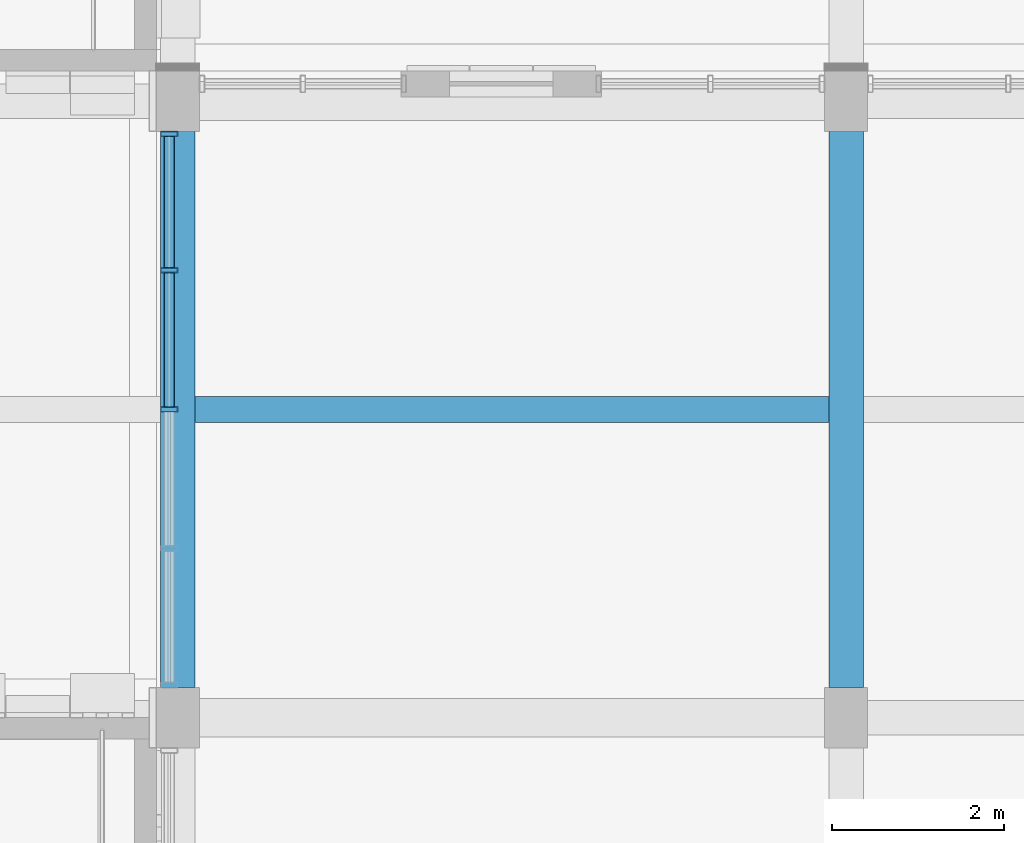
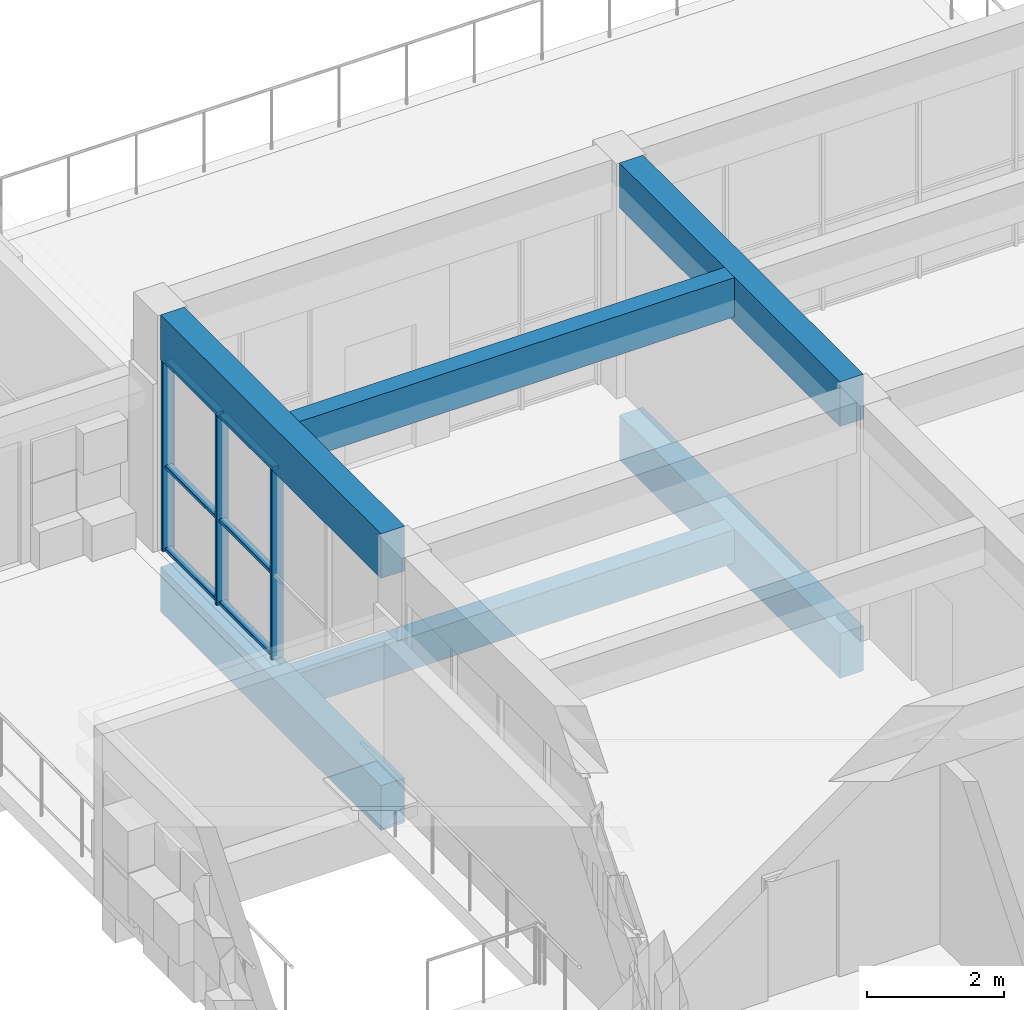
# One storey, part 9 of 26: 9 members, 6 beams, 1 element without a shape of its own.
"""IFC4 building model written with IfcOpenShell, lengths in metres."""

from ifc_helpers import new_model, si_unit, direction, frame, origin, origin_2d, place, context, subcontext, project, spatial, rectangle, hollow_rectangle, extrude, material, material_profile, profile_set, type_object, element, aggregate, save


model = new_model("IFC4")

# Units and contexts
model_context = context("Model", 3, precision=1e-05, world=origin(), true_north=direction((0.0, 1.0)))
body_context = subcontext(model_context, "Body", "Model", "MODEL_VIEW")
ifc_project = project(units=[si_unit("LENGTHUNIT", "METRE"), si_unit("AREAUNIT", "SQUARE_METRE"), si_unit("VOLUMEUNIT", "CUBIC_METRE"), si_unit("PLANEANGLEUNIT", "RADIAN"), si_unit("MASSUNIT", "GRAM", prefix="KILO")], contexts=[model_context])

# Site, building, storey
site_placement = place(None, origin())
site = spatial("IfcSite", under=ifc_project, at=site_placement, CompositionType="ELEMENT")
building_placement = place(site_placement, origin())
building = spatial("IfcBuilding", under=site, at=building_placement, Name="Sun Court Science Centre", CompositionType="ELEMENT")
storey_placement = place(building_placement, frame((0.0, 0.0, 29.25)))
storey = spatial("IfcBuildingStorey", under=building, at=storey_placement, Name="L06", CompositionType="ELEMENT", Elevation=29.25)

# Curtain wall, members
ifc_material_1 = material(Name="Aluminium EN AW-6063 T6", Category="aluminium")
curtain_wall_type = type_object("IfcCurtainWallType", Name="Laboratory tall bay curtain wall 1500", PredefinedType="NOTDEFINED", material=ifc_material_1)
curtain_wall_placement = place(storey_placement, origin())
curtain_wall = element("IfcCurtainWall", 1, at=curtain_wall_placement, inside=storey, type_object=curtain_wall_type, Name="Curtain wall V4 PW L06 03", PredefinedType="NOTDEFINED")
ifc_material_2 = material(Name="Aluminium EN AW-6063 T6", Category="aluminium")
ifc_material_profile_1 = material_profile(ifc_material_2, hollow_rectangle(XDim=0.06005859375, YDim=0.199951171875, WallThickness=0.0048828125, InnerFilletRadius=0.0048828125, OuterFilletRadius=0.007568359375, at=origin_2d()), Name="AL 60x200x5")
ifc_profile_set_1 = profile_set([ifc_material_profile_1], Name="Aluminium EN AW-6063 T6")
member_type_1 = type_object("IfcMemberType", Name="Curtain wall mullion AL 60x200", PredefinedType="MULLION", material=ifc_profile_set_1)
member_1_placement = place(storey_placement, frame((87.14990234375, 69.574951171875, 0.0), z_axis=(0.0, 0.0, 1.0), x_axis=(0.0, 1.0, 0.0)))
member_1 = element("IfcMember", 2, at=member_1_placement, type_object=member_type_1, Name="CW2-80 mullion 3", PredefinedType="MULLION", context=body_context, shape_type="SweptSolid", body=[
    extrude(hollow_rectangle(XDim=0.06005859375, YDim=0.199951171875, WallThickness=0.0048828125, InnerFilletRadius=0.0048828125, OuterFilletRadius=0.007568359375, at=origin_2d()), origin(), (0.0, 0.0, 1.0), 3.39990234375),
])
member_2_placement = place(storey_placement, frame((87.14990234375, 71.1875, 0.0), z_axis=(0.0, 0.0, 1.0), x_axis=(0.0, 1.0, 0.0)))
member_2 = element("IfcMember", 3, at=member_2_placement, type_object=member_type_1, Name="CW2-80 mullion 4", PredefinedType="MULLION", context=body_context, shape_type="SweptSolid", body=[
    extrude(hollow_rectangle(XDim=0.06005859375, YDim=0.199951171875, WallThickness=0.0048828125, InnerFilletRadius=0.0048828125, OuterFilletRadius=0.007568359375, at=origin_2d()), origin(), (0.0, 0.0, 1.0), 3.39990234375),
])
member_3_placement = place(storey_placement, frame((87.14990234375, 72.77001953125, 0.0), z_axis=(0.0, 0.0, 1.0), x_axis=(0.0, 1.0, 0.0)))
member_3 = element("IfcMember", 4, at=member_3_placement, type_object=member_type_1, Name="CW2-80 mullion 5", PredefinedType="MULLION", context=body_context, shape_type="SweptSolid", body=[
    extrude(hollow_rectangle(XDim=0.06005859375, YDim=0.199951171875, WallThickness=0.0048828125, InnerFilletRadius=0.0048828125, OuterFilletRadius=0.007568359375, at=origin_2d()), origin(), (0.0, 0.0, 1.0), 3.39990234375),
])
ifc_material_3 = material(Name="Aluminium EN AW-6063 T6", Category="aluminium")
ifc_material_profile_2 = material_profile(ifc_material_3, hollow_rectangle(XDim=0.06005859375, YDim=0.1201171875, WallThickness=0.00390625, InnerFilletRadius=0.00390625, OuterFilletRadius=0.006103515625, at=origin_2d()), Name="AL 60x120x4")
ifc_profile_set_2 = profile_set([ifc_material_profile_2], Name="Aluminium EN AW-6063 T6")
member_type_2 = type_object("IfcMemberType", Name="Curtain wall transom AL 60x120", PredefinedType="USERDEFINED", material=ifc_profile_set_2)
member_4_placement = place(storey_placement, frame((87.14990234375, 69.60498046875, 0.030029296875), z_axis=(0.0, 1.0, 0.0), x_axis=(0.0, 0.0, 1.0)))
member_4 = element("IfcMember", 5, at=member_4_placement, type_object=member_type_2, Name="CW2-80 transom 3.1", ObjectType="TRANSOM", PredefinedType="USERDEFINED", context=body_context, shape_type="SweptSolid", body=[
    extrude(hollow_rectangle(XDim=0.06005859375, YDim=0.1201171875, WallThickness=0.00390625, InnerFilletRadius=0.00390625, OuterFilletRadius=0.006103515625, at=origin_2d()), origin(), (0.0, 0.0, 1.0), 1.552490234375),
])
member_5_placement = place(storey_placement, frame((87.14990234375, 71.217529296875, 0.030029296875), z_axis=(0.0, 1.0, 0.0), x_axis=(0.0, 0.0, 1.0)))
member_5 = element("IfcMember", 6, at=member_5_placement, type_object=member_type_2, Name="CW2-80 transom 4.1", ObjectType="TRANSOM", PredefinedType="USERDEFINED", context=body_context, shape_type="SweptSolid", body=[
    extrude(hollow_rectangle(XDim=0.06005859375, YDim=0.1201171875, WallThickness=0.00390625, InnerFilletRadius=0.00390625, OuterFilletRadius=0.006103515625, at=origin_2d()), origin(), (0.0, 0.0, 1.0), 1.5224609375),
])
member_6_placement = place(storey_placement, frame((87.14990234375, 69.60498046875, 1.5), z_axis=(0.0, 1.0, 0.0), x_axis=(0.0, 0.0, 1.0)))
member_6 = element("IfcMember", 7, at=member_6_placement, type_object=member_type_2, Name="CW2-80 transom 3.2", ObjectType="TRANSOM", PredefinedType="USERDEFINED", context=body_context, shape_type="SweptSolid", body=[
    extrude(hollow_rectangle(XDim=0.06005859375, YDim=0.1201171875, WallThickness=0.00390625, InnerFilletRadius=0.00390625, OuterFilletRadius=0.006103515625, at=origin_2d()), origin(), (0.0, 0.0, 1.0), 1.552490234375),
])
member_7_placement = place(storey_placement, frame((87.14990234375, 71.217529296875, 1.5), z_axis=(0.0, 1.0, 0.0), x_axis=(0.0, 0.0, 1.0)))
member_7 = element("IfcMember", 8, at=member_7_placement, type_object=member_type_2, Name="CW2-80 transom 4.2", ObjectType="TRANSOM", PredefinedType="USERDEFINED", context=body_context, shape_type="SweptSolid", body=[
    extrude(hollow_rectangle(XDim=0.06005859375, YDim=0.1201171875, WallThickness=0.00390625, InnerFilletRadius=0.00390625, OuterFilletRadius=0.006103515625, at=origin_2d()), origin(), (0.0, 0.0, 1.0), 1.5224609375),
])
member_8_placement = place(storey_placement, frame((87.14990234375, 69.60498046875, 3.3701171875), z_axis=(0.0, 1.0, 0.0), x_axis=(0.0, 0.0, 1.0)))
member_8 = element("IfcMember", 9, at=member_8_placement, type_object=member_type_2, Name="CW2-80 transom 3.3", ObjectType="TRANSOM", PredefinedType="USERDEFINED", context=body_context, shape_type="SweptSolid", body=[
    extrude(hollow_rectangle(XDim=0.06005859375, YDim=0.1201171875, WallThickness=0.00390625, InnerFilletRadius=0.00390625, OuterFilletRadius=0.006103515625, at=origin_2d()), origin(), (0.0, 0.0, 1.0), 1.552490234375),
])
member_9_placement = place(storey_placement, frame((87.14990234375, 71.217529296875, 3.3701171875), z_axis=(0.0, 1.0, 0.0), x_axis=(0.0, 0.0, 1.0)))
member_9 = element("IfcMember", 10, at=member_9_placement, type_object=member_type_2, Name="CW2-80 transom 4.3", ObjectType="TRANSOM", PredefinedType="USERDEFINED", context=body_context, shape_type="SweptSolid", body=[
    extrude(hollow_rectangle(XDim=0.06005859375, YDim=0.1201171875, WallThickness=0.00390625, InnerFilletRadius=0.00390625, OuterFilletRadius=0.006103515625, at=origin_2d()), origin(), (0.0, 0.0, 1.0), 1.5224609375),
])
aggregate(curtain_wall, [member_1, member_2, member_3, member_4, member_5, member_6, member_7, member_8, member_9])

# Beams
ifc_material_4 = material(Name="Concrete C25/30", Category="concrete")
ifc_material_profile_3 = material_profile(ifc_material_4, rectangle(XDim=0.39990234375, YDim=0.800048828125, at=origin_2d()), Name="RC 400x800")
ifc_profile_set_3 = profile_set([ifc_material_profile_3], Name="Concrete C25/30")
beam_type_1 = type_object("IfcBeamType", Name="RC girder 400x800", PredefinedType="BEAM", material=ifc_profile_set_3)
for number, where, z_axis, x_axis, name in (
    (11, (87.25, 66.35009765625, -0.699951171875), (0.0, 1.0, 0.0), (-1.0, 0.0, 0.0), "Girder L06 line 1"),
    (12, (95.0, 66.35009765625, -0.699951171875), (0.0, 1.0, 0.0), (-1.0, 0.0, 0.0), "Girder L06 line 2"),
    (13, (87.25, 66.35009765625, 3.800048828125), (0.0, 1.0, 0.0), (-1.0, 0.0, 0.0), "Girder L06P line 1"),
    (14, (95.0, 66.35009765625, 3.800048828125), (0.0, 1.0, 0.0), (-1.0, 0.0, 0.0), "Girder L06P line 2"),
):
    element("IfcBeam", number, at=place(storey_placement, frame(where, z_axis=z_axis, x_axis=x_axis)), inside=storey, type_object=beam_type_1, Name=name, PredefinedType="BEAM", context=body_context, shape_type="SweptSolid", body=[
        extrude(rectangle(XDim=0.39990234375, YDim=0.800048828125, at=origin_2d()), origin(), (0.0, 0.0, 1.0), 6.449951171875),
    ])
ifc_material_5 = material(Name="Concrete C25/30", Category="concrete")
ifc_material_profile_4 = material_profile(ifc_material_5, rectangle(XDim=0.300048828125, YDim=0.60009765625, at=origin_2d()), Name="RC 300x600")
ifc_profile_set_4 = profile_set([ifc_material_profile_4], Name="Concrete C25/30")
beam_type_2 = type_object("IfcBeamType", Name="RC joist 300x600", PredefinedType="JOIST", material=ifc_profile_set_4)
beam_1_placement = place(storey_placement, frame((87.449951171875, 69.574951171875, -0.60009765625), z_axis=(1.0, 0.0, 0.0), x_axis=(0.0, 1.0, 0.0)))
element("IfcBeam", 15, at=beam_1_placement, inside=storey, type_object=beam_type_2, Name="Joist L06", PredefinedType="JOIST", context=body_context, shape_type="SweptSolid", body=[
    extrude(rectangle(XDim=0.300048828125, YDim=0.60009765625, at=origin_2d()), origin(), (0.0, 0.0, 1.0), 7.35009765625),
])
ifc_material_6 = material(Name="Concrete C25/30", Category="concrete")
ifc_material_profile_5 = material_profile(ifc_material_6, rectangle(XDim=0.300048828125, YDim=0.699951171875, at=origin_2d()), Name="RC 300x700")
ifc_profile_set_5 = profile_set([ifc_material_profile_5], Name="Concrete C25/30")
beam_type_3 = type_object("IfcBeamType", Name="RC joist 300x700", PredefinedType="JOIST", material=ifc_profile_set_5)
beam_2_placement = place(storey_placement, frame((87.449951171875, 69.574951171875, 3.85009765625), z_axis=(1.0, 0.0, 0.0), x_axis=(0.0, 1.0, 0.0)))
element("IfcBeam", 16, at=beam_2_placement, inside=storey, type_object=beam_type_3, Name="Joist L06P", PredefinedType="JOIST", context=body_context, shape_type="SweptSolid", body=[
    extrude(rectangle(XDim=0.300048828125, YDim=0.699951171875, at=origin_2d()), origin(), (0.0, 0.0, 1.0), 7.35009765625),
])

save(model, "model.ifc")
